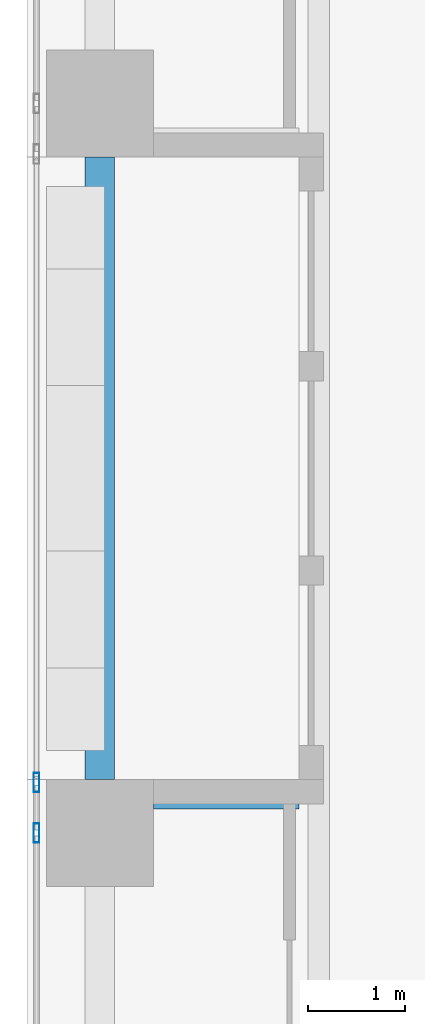
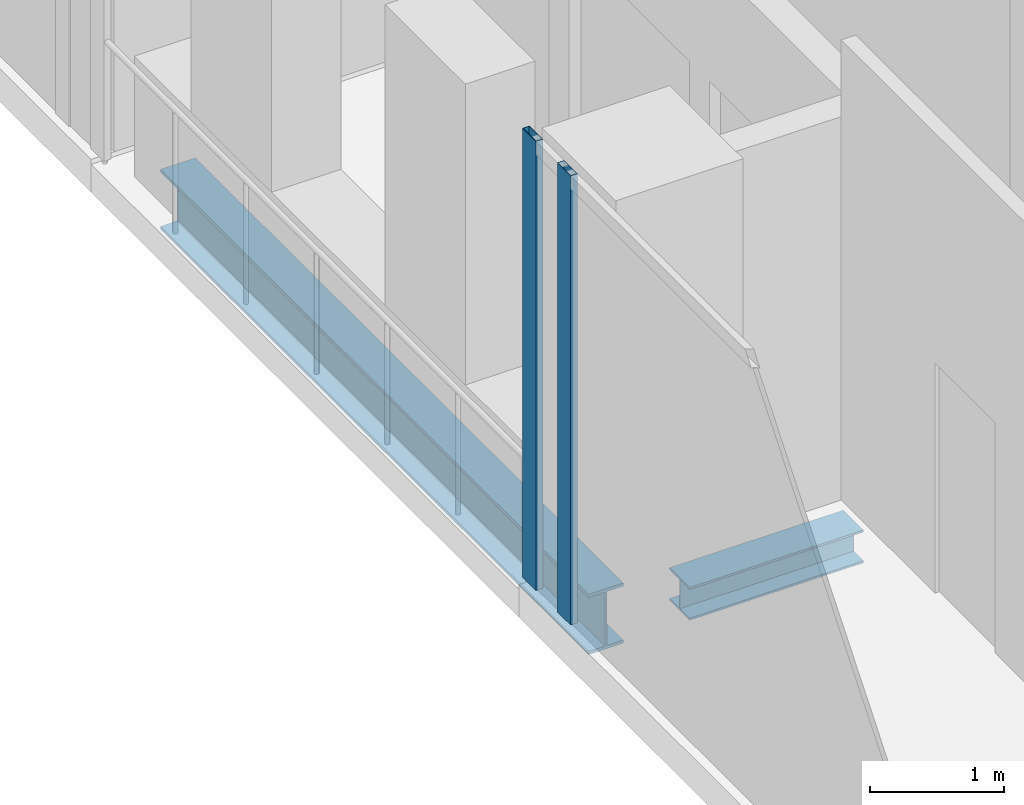
# One storey, part 4 of 33: 2 beams, 2 members, 1 element without a shape of its own.
"""IFC4 building model written with IfcOpenShell, lengths in metres."""

from ifc_helpers import new_model, si_unit, direction, frame, origin, origin_2d, place, context, subcontext, project, spatial, hollow_rectangle, i_section, extrude, source, transform, mapped, material, material_profile, profile_set, type_object, element, aggregate, save


model = new_model("IFC4")

# Units and contexts
model_context = context("Model", 3, precision=1e-05, world=origin(), true_north=direction((0.0, 1.0)))
body_context = subcontext(model_context, "Body", "Model", "MODEL_VIEW")
ifc_project = project(units=[si_unit("LENGTHUNIT", "METRE"), si_unit("AREAUNIT", "SQUARE_METRE"), si_unit("VOLUMEUNIT", "CUBIC_METRE"), si_unit("PLANEANGLEUNIT", "RADIAN"), si_unit("MASSUNIT", "GRAM", prefix="KILO")], contexts=[model_context])

# Site, building, storey
site_placement = place(None, origin())
site = spatial("IfcSite", under=ifc_project, at=site_placement, CompositionType="ELEMENT")
building_placement = place(site_placement, origin())
building = spatial("IfcBuilding", under=site, at=building_placement, Name="Khomas Fold Tower", CompositionType="ELEMENT")
storey_placement = place(building_placement, frame((0.0, 0.0, 149.89990234375)))
storey = spatial("IfcBuildingStorey", under=building, at=storey_placement, Name="L32", CompositionType="ELEMENT", Elevation=149.89990234375)

# Beams
ifc_material_1 = material(Name="Steel S355", Category="steel")
ifc_material_profile_1 = material_profile(ifc_material_1, i_section(OverallWidth=0.300048828125, OverallDepth=0.550048828125, WebThickness=0.014892578125, FlangeThickness=0.029052734375, at=origin_2d()), Name="HE 550 B")
ifc_profile_set_1 = profile_set([ifc_material_profile_1], Name="Steel S355")
beam_type_1 = type_object("IfcBeamType", Name="HE 550 B spandrel SB2", PredefinedType="SPANDREL", material=ifc_profile_set_1)
shared_shape_1 = source(origin(), body_context, "Body", "SweptSolid", [
    extrude(i_section(OverallWidth=0.300048828125, OverallDepth=0.550048828125, WebThickness=0.014892578125, FlangeThickness=0.029052734375, at=origin_2d()), origin(), (0.0, 0.0, 1.0), 6.39990234375),
])
beam_1_placement = place(storey_placement, frame((2.25, 12.550048828125, -0.574951171875), z_axis=(0.0, 1.0, 0.0), x_axis=(-1.0, 0.0, 0.0)))
element("IfcBeam", 1, at=beam_1_placement, inside=storey, type_object=beam_type_1, Name="SB2", PredefinedType="SPANDREL", context=body_context, shape_type="MappedRepresentation", body=[
    mapped(shared_shape_1, transform((0.0, 0.0, 0.0))),
])
ifc_material_2 = material(Name="Steel S355", Category="steel")
ifc_material_profile_2 = material_profile(ifc_material_2, i_section(OverallWidth=0.300048828125, OverallDepth=0.300048828125, WebThickness=0.010986328125, FlangeThickness=0.01904296875, at=origin_2d()), Name="HE 300 B")
ifc_profile_set_2 = profile_set([ifc_material_profile_2], Name="Steel S355")
beam_type_2 = type_object("IfcBeamType", Name="HE 300 B beam BB1", PredefinedType="BEAM", material=ifc_profile_set_2)
shared_shape_2 = source(origin(), body_context, "Body", "SweptSolid", [
    extrude(i_section(OverallWidth=0.300048828125, OverallDepth=0.300048828125, WebThickness=0.010986328125, FlangeThickness=0.01904296875, at=origin_2d()), origin(), (0.0, 0.0, 1.0), 1.5),
])
beam_2_placement = place(storey_placement, frame((2.800048828125, 12.39990234375, -0.449951171875), z_axis=(1.0, 0.0, 0.0), x_axis=(0.0, 1.0, 0.0)))
element("IfcBeam", 2, at=beam_2_placement, inside=storey, type_object=beam_type_2, Name="BB1", PredefinedType="BEAM", context=body_context, shape_type="MappedRepresentation", body=[
    mapped(shared_shape_2, transform((0.0, 0.0, 0.0))),
])

# Curtain wall, members
ifc_material_3 = material(Name="Aluminium framed double glazing", Category="aluminium")
curtain_wall_type = type_object("IfcCurtainWallType", Name="SK-Unitised clear-glass wall, growing floors CW1", PredefinedType="NOTDEFINED", material=ifc_material_3)
curtain_wall_placement = place(storey_placement, origin())
curtain_wall = element("IfcCurtainWall", 3, at=curtain_wall_placement, inside=storey, type_object=curtain_wall_type, Name="CW1 run L32 09-1", PredefinedType="NOTDEFINED")
ifc_material_4 = material(Name="Aluminium", Category="aluminium")
ifc_material_profile_3 = material_profile(ifc_material_4, hollow_rectangle(XDim=0.06005859375, YDim=0.199951171875, WallThickness=0.00390625, at=origin_2d()), Name="SK-Unitised clear-glass wall, growing floors mullion CW1-M")
ifc_profile_set_3 = profile_set([ifc_material_profile_3], Name="Aluminium")
member_type = type_object("IfcMemberType", Name="SK-Unitised clear-glass wall, growing floors mullion CW1-M", PredefinedType="MULLION", material=ifc_profile_set_3)
shared_shape_3 = source(origin(), body_context, "Body", "SweptSolid", [
    extrude(hollow_rectangle(XDim=0.06005859375, YDim=0.199951171875, WallThickness=0.00390625, at=origin_2d()), origin(), (0.0, 0.0, 1.0), 4.10009765625),
])
member_1_placement = place(storey_placement, frame((1.60009765625, 12.52001953125, 0.0), z_axis=(0.0, 0.0, 1.0), x_axis=(1.0, 0.0, 0.0)))
member_1 = element("IfcMember", 4, at=member_1_placement, type_object=member_type, Name="CW1 mullion 1", PredefinedType="MULLION", context=body_context, shape_type="MappedRepresentation", body=[
    mapped(shared_shape_3, transform((0.0, 0.0, 0.0))),
])
member_2_placement = place(storey_placement, frame((1.60009765625, 12.0, 0.0), z_axis=(0.0, 0.0, 1.0), x_axis=(1.0, 0.0, 0.0)))
member_2 = element("IfcMember", 5, at=member_2_placement, type_object=member_type, Name="CW1 mullion 2", PredefinedType="MULLION", context=body_context, shape_type="MappedRepresentation", body=[
    mapped(shared_shape_3, transform((0.0, 0.0, 0.0))),
])
aggregate(curtain_wall, [member_1, member_2])

save(model, "model.ifc")
